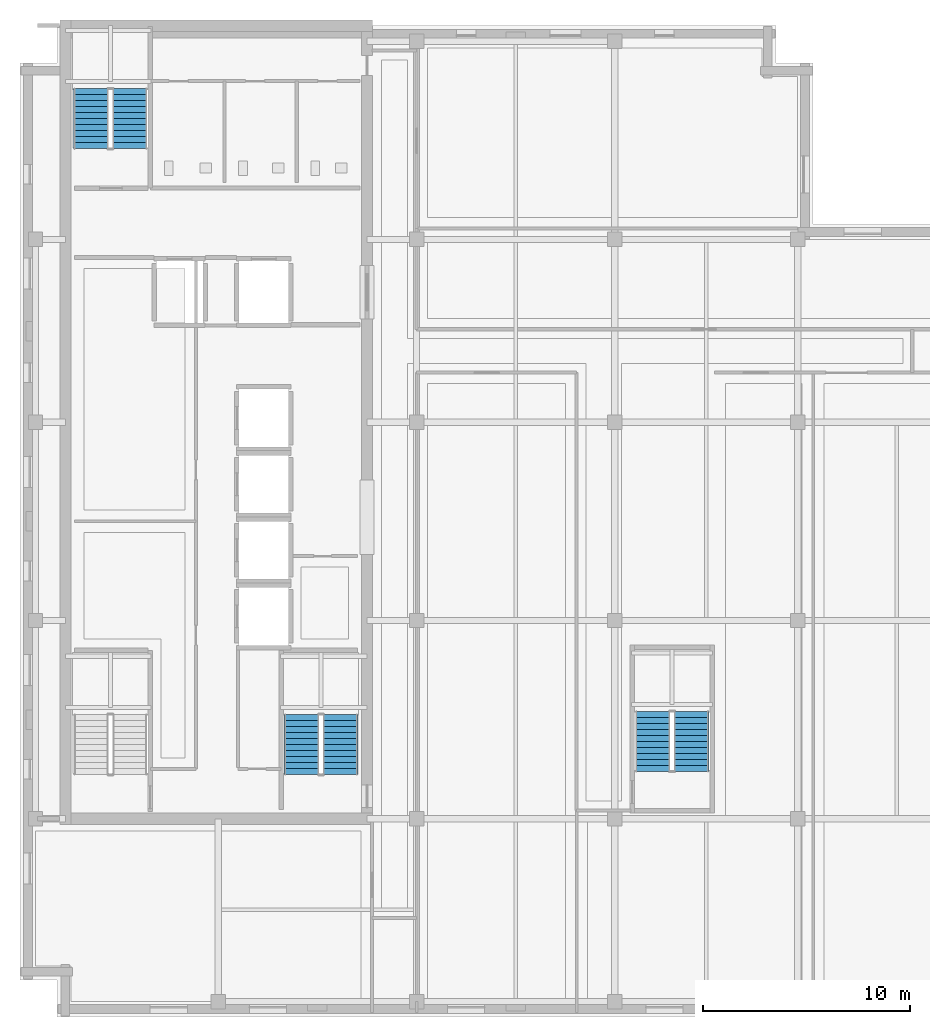
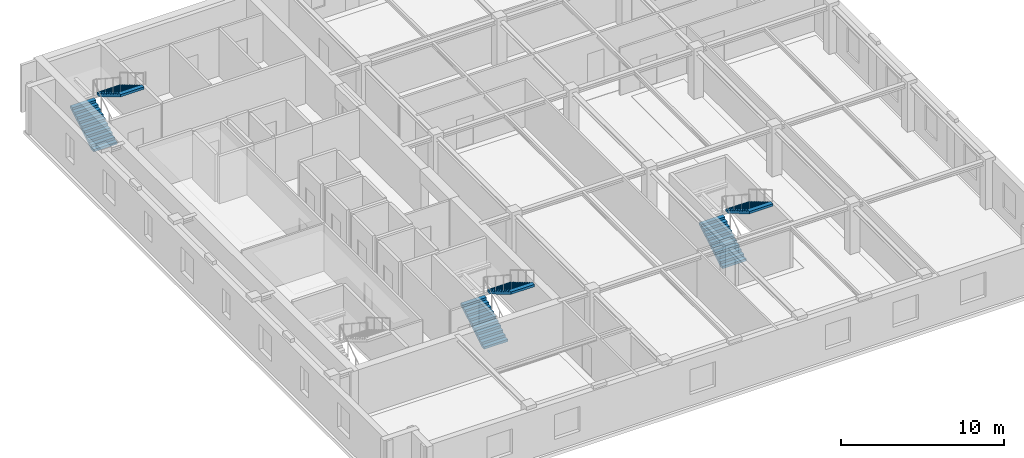
# One storey, part 6 of 11: 6 stair flights, 3 elements without a shape of their own.
"""IFC4 building model written with IfcOpenShell, lengths in metres."""

from ifc_helpers import new_model, si_unit, direction, frame, origin, place, context, subcontext, project, spatial, polyline, outline, extrude, material, type_object, element, aggregate, save


model = new_model("IFC4")

# Units and contexts
model_context = context("Model", 3, precision=1e-05, world=origin(), true_north=direction((0.0, 1.0)))
body_context = subcontext(model_context, "Body", "Model", "MODEL_VIEW")
ifc_project = project(units=[si_unit("LENGTHUNIT", "METRE"), si_unit("AREAUNIT", "SQUARE_METRE"), si_unit("VOLUMEUNIT", "CUBIC_METRE"), si_unit("PLANEANGLEUNIT", "RADIAN"), si_unit("MASSUNIT", "GRAM", prefix="KILO")], contexts=[model_context])

# Site, building, storey
site_placement = place(None, origin())
site = spatial("IfcSite", under=ifc_project, at=site_placement, CompositionType="ELEMENT")
building_placement = place(site_placement, origin())
building = spatial("IfcBuilding", under=site, at=building_placement, Name="Norrvale University Quadrangle", CompositionType="ELEMENT")
storey_placement = place(building_placement, frame((0.0, 0.0, 300.0)))
storey = spatial("IfcBuildingStorey", under=building, at=storey_placement, Name="L76", CompositionType="ELEMENT", Elevation=300.0)

# Stair, stair flights
ifc_material = material(Name="Concrete C40/50", Category="concrete")
stair_type = type_object("IfcStairType", Name="Stair Tower Typ 3800", PredefinedType="TWO_STRAIGHT_RUN_STAIR", material=ifc_material)
stair_1_placement = place(storey_placement, origin())
stair_1 = element("IfcStair", 1, at=stair_1_placement, inside=storey, type_object=stair_type, Name="Exit Stair ST-02 L76", PredefinedType="TWO_STRAIGHT_RUN_STAIR")
stair_flight_type = type_object("IfcStairFlightType", Name="Flight Typ 1500", PredefinedType="STRAIGHT", material=ifc_material)
stair_flight_1_placement = place(storey_placement, frame((3.429931640625, 42.050048828125, 0.0), z_axis=(0.0, 0.0, 1.0), x_axis=(0.0, 1.0, 0.0)))
stair_flight_1 = element("IfcStairFlight", 2, at=stair_flight_1_placement, type_object=stair_flight_type, Name="Exit Stair ST-02 L76 Lower Flight", NumberOfRisers=11, NumberOfTreads=10, PredefinedType="STRAIGHT", RiserHeight=0.172727, TreadLength=0.29, context=body_context, shape_type="SweptSolid", body=[
    extrude(outline(polyline([(0.0, 0.0), (0.0, 0.172607421875), (0.2900390625, 0.172607421875), (0.2900390625, 0.345458984375), (0.580078125, 0.345458984375), (0.580078125, 0.51806640625), (0.8701171875, 0.51806640625), (0.8701171875, 0.69091796875), (1.159912109375, 0.69091796875), (1.159912109375, 0.863525390625), (1.449951171875, 0.863525390625), (1.449951171875, 1.036376953125), (1.739990234375, 1.036376953125), (1.739990234375, 1.208984375), (2.030029296875, 1.208984375), (2.030029296875, 1.3818359375), (2.320068359375, 1.3818359375), (2.320068359375, 1.554443359375), (2.610107421875, 1.554443359375), (2.610107421875, 1.727294921875), (2.89990234375, 1.727294921875), (2.89990234375, 1.89990234375), (2.89990234375, 1.552734375), (0.29296875, 0.0), (0.0, 0.0)])), frame((0.0, 0.83984375, 0.0), z_axis=(0.0, -1.0, 0.0), x_axis=(1.0, 0.0, 0.0)), (0.0, 0.0, 1.0), 1.679931640625),
])
stair_flight_2_placement = place(storey_placement, frame((5.320068359375, 44.949951171875, 1.89990234375), z_axis=(0.0, 0.0, 1.0), x_axis=(0.0, -1.0, 0.0)))
stair_flight_2 = element("IfcStairFlight", 3, at=stair_flight_2_placement, type_object=stair_flight_type, Name="Exit Stair ST-02 L76 Upper Flight", NumberOfRisers=11, NumberOfTreads=10, PredefinedType="STRAIGHT", RiserHeight=0.172727, TreadLength=0.29, context=body_context, shape_type="SweptSolid", body=[
    extrude(outline(polyline([(0.0, 0.0), (0.0, 0.172607421875), (0.2900390625, 0.172607421875), (0.2900390625, 0.345458984375), (0.580078125, 0.345458984375), (0.580078125, 0.51806640625), (0.8701171875, 0.51806640625), (0.8701171875, 0.69091796875), (1.159912109375, 0.69091796875), (1.159912109375, 0.863525390625), (1.449951171875, 0.863525390625), (1.449951171875, 1.036376953125), (1.739990234375, 1.036376953125), (1.739990234375, 1.208984375), (2.030029296875, 1.208984375), (2.030029296875, 1.3818359375), (2.320068359375, 1.3818359375), (2.320068359375, 1.554443359375), (2.610107421875, 1.554443359375), (2.610107421875, 1.727294921875), (2.89990234375, 1.727294921875), (2.89990234375, 1.89990234375), (2.89990234375, 1.552734375), (0.29296875, 0.0), (0.0, 0.0)])), frame((0.0, 0.83984375, 0.0), z_axis=(0.0, -1.0, 0.0), x_axis=(1.0, 0.0, 0.0)), (0.0, 0.0, 1.0), 1.679931640625),
])
aggregate(stair_1, [stair_flight_1, stair_flight_2])

stair_2_placement = place(storey_placement, origin())
stair_2 = element("IfcStair", 4, at=stair_2_placement, inside=storey, type_object=stair_type, Name="Exit Stair ST-03 L76", PredefinedType="TWO_STRAIGHT_RUN_STAIR")
stair_flight_3_placement = place(storey_placement, frame((13.6298828125, 11.75, 0.0), z_axis=(0.0, 0.0, 1.0), x_axis=(0.0, 1.0, 0.0)))
stair_flight_3 = element("IfcStairFlight", 5, at=stair_flight_3_placement, type_object=stair_flight_type, Name="Exit Stair ST-03 L76 Lower Flight", NumberOfRisers=11, NumberOfTreads=10, PredefinedType="STRAIGHT", RiserHeight=0.172727, TreadLength=0.29, context=body_context, shape_type="SweptSolid", body=[
    extrude(outline(polyline([(0.0, 0.0), (0.0, 0.172607421875), (0.2900390625, 0.172607421875), (0.2900390625, 0.345458984375), (0.580078125, 0.345458984375), (0.580078125, 0.51806640625), (0.8701171875, 0.51806640625), (0.8701171875, 0.69091796875), (1.159912109375, 0.69091796875), (1.159912109375, 0.863525390625), (1.449951171875, 0.863525390625), (1.449951171875, 1.036376953125), (1.739990234375, 1.036376953125), (1.739990234375, 1.208984375), (2.030029296875, 1.208984375), (2.030029296875, 1.3818359375), (2.320068359375, 1.3818359375), (2.320068359375, 1.554443359375), (2.610107421875, 1.554443359375), (2.610107421875, 1.727294921875), (2.89990234375, 1.727294921875), (2.89990234375, 1.89990234375), (2.89990234375, 1.552734375), (0.29296875, 0.0), (0.0, 0.0)])), frame((0.0, 0.83984375, 0.0), z_axis=(0.0, -1.0, 0.0), x_axis=(1.0, 0.0, 0.0)), (0.0, 0.0, 1.0), 1.679931640625),
])
stair_flight_4_placement = place(storey_placement, frame((15.52001953125, 14.64990234375, 1.89990234375), z_axis=(0.0, 0.0, 1.0), x_axis=(0.0, -1.0, 0.0)))
stair_flight_4 = element("IfcStairFlight", 6, at=stair_flight_4_placement, type_object=stair_flight_type, Name="Exit Stair ST-03 L76 Upper Flight", NumberOfRisers=11, NumberOfTreads=10, PredefinedType="STRAIGHT", RiserHeight=0.172727, TreadLength=0.29, context=body_context, shape_type="SweptSolid", body=[
    extrude(outline(polyline([(0.0, 0.0), (0.0, 0.172607421875), (0.2900390625, 0.172607421875), (0.2900390625, 0.345458984375), (0.580078125, 0.345458984375), (0.580078125, 0.51806640625), (0.8701171875, 0.51806640625), (0.8701171875, 0.69091796875), (1.159912109375, 0.69091796875), (1.159912109375, 0.863525390625), (1.449951171875, 0.863525390625), (1.449951171875, 1.036376953125), (1.739990234375, 1.036376953125), (1.739990234375, 1.208984375), (2.030029296875, 1.208984375), (2.030029296875, 1.3818359375), (2.320068359375, 1.3818359375), (2.320068359375, 1.554443359375), (2.610107421875, 1.554443359375), (2.610107421875, 1.727294921875), (2.89990234375, 1.727294921875), (2.89990234375, 1.89990234375), (2.89990234375, 1.552734375), (0.29296875, 0.0), (0.0, 0.0)])), frame((0.0, 0.83984375, 0.0), z_axis=(0.0, -1.0, 0.0), x_axis=(1.0, 0.0, 0.0)), (0.0, 0.0, 1.0), 1.679931640625),
])
aggregate(stair_2, [stair_flight_3, stair_flight_4])

stair_3_placement = place(storey_placement, origin())
stair_3 = element("IfcStair", 7, at=stair_3_placement, inside=storey, type_object=stair_type, Name="Exit Stair ST-04 L76", PredefinedType="TWO_STRAIGHT_RUN_STAIR")
stair_flight_5_placement = place(storey_placement, frame((30.6298828125, 11.89990234375, 0.0), z_axis=(0.0, 0.0, 1.0), x_axis=(0.0, 1.0, 0.0)))
stair_flight_5 = element("IfcStairFlight", 8, at=stair_flight_5_placement, type_object=stair_flight_type, Name="Exit Stair ST-04 L76 Lower Flight", NumberOfRisers=11, NumberOfTreads=10, PredefinedType="STRAIGHT", RiserHeight=0.172727, TreadLength=0.29, context=body_context, shape_type="SweptSolid", body=[
    extrude(outline(polyline([(0.0, 0.0), (0.0, 0.172607421875), (0.2900390625, 0.172607421875), (0.2900390625, 0.345458984375), (0.580078125, 0.345458984375), (0.580078125, 0.51806640625), (0.8701171875, 0.51806640625), (0.8701171875, 0.69091796875), (1.159912109375, 0.69091796875), (1.159912109375, 0.863525390625), (1.449951171875, 0.863525390625), (1.449951171875, 1.036376953125), (1.739990234375, 1.036376953125), (1.739990234375, 1.208984375), (2.030029296875, 1.208984375), (2.030029296875, 1.3818359375), (2.320068359375, 1.3818359375), (2.320068359375, 1.554443359375), (2.610107421875, 1.554443359375), (2.610107421875, 1.727294921875), (2.89990234375, 1.727294921875), (2.89990234375, 1.89990234375), (2.89990234375, 1.552734375), (0.29296875, 0.0), (0.0, 0.0)])), frame((0.0, 0.83984375, 0.0), z_axis=(0.0, -1.0, 0.0), x_axis=(1.0, 0.0, 0.0)), (0.0, 0.0, 1.0), 1.679931640625),
])
stair_flight_6_placement = place(storey_placement, frame((32.52001953125, 14.800048828125, 1.89990234375), z_axis=(0.0, 0.0, 1.0), x_axis=(0.0, -1.0, 0.0)))
stair_flight_6 = element("IfcStairFlight", 9, at=stair_flight_6_placement, type_object=stair_flight_type, Name="Exit Stair ST-04 L76 Upper Flight", NumberOfRisers=11, NumberOfTreads=10, PredefinedType="STRAIGHT", RiserHeight=0.172727, TreadLength=0.29, context=body_context, shape_type="SweptSolid", body=[
    extrude(outline(polyline([(0.0, 0.0), (0.0, 0.172607421875), (0.2900390625, 0.172607421875), (0.2900390625, 0.345458984375), (0.580078125, 0.345458984375), (0.580078125, 0.51806640625), (0.8701171875, 0.51806640625), (0.8701171875, 0.69091796875), (1.159912109375, 0.69091796875), (1.159912109375, 0.863525390625), (1.449951171875, 0.863525390625), (1.449951171875, 1.036376953125), (1.739990234375, 1.036376953125), (1.739990234375, 1.208984375), (2.030029296875, 1.208984375), (2.030029296875, 1.3818359375), (2.320068359375, 1.3818359375), (2.320068359375, 1.554443359375), (2.610107421875, 1.554443359375), (2.610107421875, 1.727294921875), (2.89990234375, 1.727294921875), (2.89990234375, 1.89990234375), (2.89990234375, 1.552734375), (0.29296875, 0.0), (0.0, 0.0)])), frame((0.0, 0.83984375, 0.0), z_axis=(0.0, -1.0, 0.0), x_axis=(1.0, 0.0, 0.0)), (0.0, 0.0, 1.0), 1.679931640625),
])
aggregate(stair_3, [stair_flight_5, stair_flight_6])

save(model, "model.ifc")
